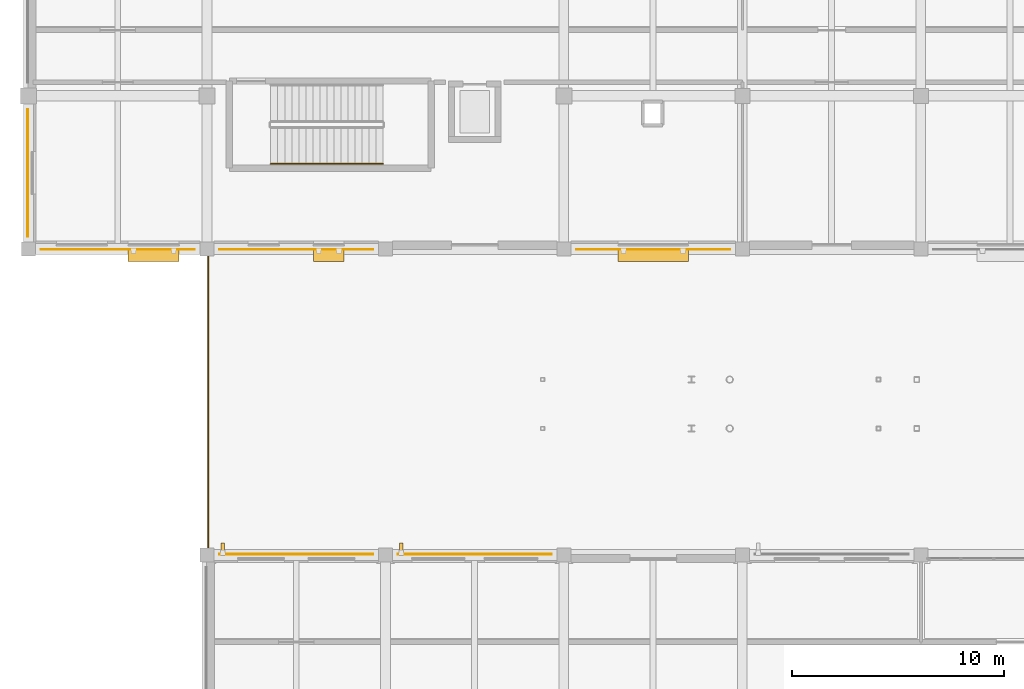
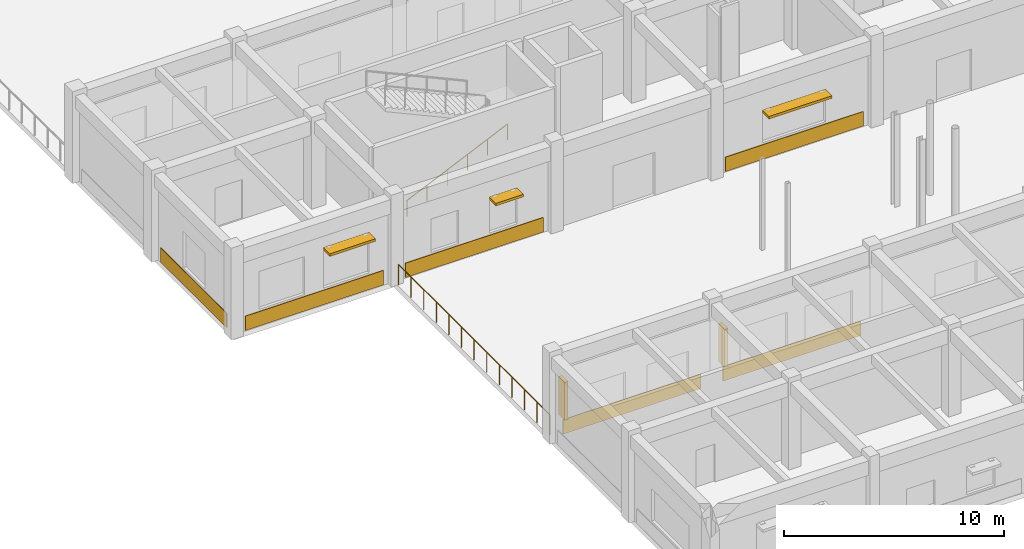
# One storey, part 108 of 121: 6 coverings, 5 shading devices, 2 railings.
"""IFC4 building model written with IfcOpenShell, lengths in metres."""

from ifc_helpers import new_model, si_unit, direction, frame, origin, origin_2d, place, context, subcontext, project, spatial, polyline, rectangle, circle, outline, extrude, material, layer, layer_set, type_object, element, save


model = new_model("IFC4")

# Units and contexts
model_context = context("Model", 3, precision=1e-05, world=origin(), true_north=direction((0.0, 1.0)))
body_context = subcontext(model_context, "Body", "Model", "MODEL_VIEW")
ifc_project = project(units=[si_unit("LENGTHUNIT", "METRE"), si_unit("AREAUNIT", "SQUARE_METRE"), si_unit("VOLUMEUNIT", "CUBIC_METRE"), si_unit("PLANEANGLEUNIT", "RADIAN"), si_unit("MASSUNIT", "GRAM", prefix="KILO")], contexts=[model_context])

# Site, building, storey
site_placement = place(None, origin())
site = spatial("IfcSite", under=ifc_project, at=site_placement, CompositionType="ELEMENT")
building_placement = place(site_placement, origin())
building = spatial("IfcBuilding", under=site, at=building_placement, Name="Malvenik Polytechnic", CompositionType="ELEMENT")
storey_placement = place(building_placement, origin())
storey = spatial("IfcBuildingStorey", under=building, at=storey_placement, Name="L00", CompositionType="ELEMENT", Elevation=0.0)

# Coverings
ifc_material_1 = material(Name="Glazed ochre architectural terracotta rainscreen tile 35mm", Category="masonry")
ifc_layer_1 = layer(ifc_material_1, 0.034912109375)
ifc_layer_set_1 = layer_set([ifc_layer_1], Name="Glazed ochre architectural terracotta rainscreen tile 35mm")
covering_type = type_object("IfcCoveringType", Name="ARC-COV-CLAD-TERR", PredefinedType="CLADDING", material=ifc_layer_set_1)
covering_1_placement = place(storey_placement, frame((0.0, 0.0, 0.050048828125)))
element("IfcCovering", 1, at=covering_1_placement, inside=storey, type_object=covering_type, Name="Stone Rainscreen Band CL-02 L00 #22", PredefinedType="CLADDING", context=body_context, shape_type="SweptSolid", body=[
    extrude(outline(polyline([(8.972900390625, 64.81591796875), (16.22705078125, 64.81591796875), (16.22705078125, 64.85107421875), (8.972900390625, 64.85107421875), (8.972900390625, 64.81591796875)])), origin(), (0.0, 0.0, 1.0), 0.800048828125),
])
covering_2_placement = place(storey_placement, frame((0.0, 0.0, 0.050048828125)))
element("IfcCovering", 2, at=covering_2_placement, inside=storey, type_object=covering_type, Name="Stone Rainscreen Band CL-02 L00 #23", PredefinedType="CLADDING", context=body_context, shape_type="SweptSolid", body=[
    extrude(outline(polyline([(17.373046875, 64.81591796875), (24.626953125, 64.81591796875), (24.626953125, 64.85107421875), (17.373046875, 64.85107421875), (17.373046875, 64.81591796875)])), origin(), (0.0, 0.0, 1.0), 0.800048828125),
])
covering_3_placement = place(storey_placement, frame((0.0, 0.0, 0.050048828125)))
element("IfcCovering", 3, at=covering_3_placement, inside=storey, type_object=covering_type, Name="Stone Rainscreen Band CL-02 L00 #29", PredefinedType="CLADDING", context=body_context, shape_type="SweptSolid", body=[
    extrude(outline(polyline([(33.027099609375, 79.18408203125), (25.77294921875, 79.18408203125), (25.77294921875, 79.14892578125), (33.027099609375, 79.14892578125), (33.027099609375, 79.18408203125)])), origin(), (0.0, 0.0, 1.0), 0.800048828125),
])
covering_4_placement = place(storey_placement, frame((0.0, 0.0, 0.050048828125)))
element("IfcCovering", 4, at=covering_4_placement, inside=storey, type_object=covering_type, Name="Stone Rainscreen Band CL-02 L00 #30", PredefinedType="CLADDING", context=body_context, shape_type="SweptSolid", body=[
    extrude(outline(polyline([(16.22705078125, 79.18408203125), (8.972900390625, 79.18408203125), (8.972900390625, 79.14892578125), (16.22705078125, 79.14892578125), (16.22705078125, 79.18408203125)])), origin(), (0.0, 0.0, 1.0), 0.800048828125),
])
covering_5_placement = place(storey_placement, frame((0.0, 0.0, 0.050048828125)))
element("IfcCovering", 5, at=covering_5_placement, inside=storey, type_object=covering_type, Name="Stone Rainscreen Band CL-02 L00 #31", PredefinedType="CLADDING", context=body_context, shape_type="SweptSolid", body=[
    extrude(outline(polyline([(7.826904296875, 79.18408203125), (0.572998046875, 79.18408203125), (0.572998046875, 79.14892578125), (7.826904296875, 79.14892578125), (7.826904296875, 79.18408203125)])), origin(), (0.0, 0.0, 1.0), 0.800048828125),
])
covering_6_placement = place(storey_placement, frame((0.0, 0.0, 0.050048828125)))
element("IfcCovering", 6, at=covering_6_placement, inside=storey, type_object=covering_type, Name="Stone Rainscreen Band CL-02 L00 #32", PredefinedType="CLADDING", context=body_context, shape_type="SweptSolid", body=[
    extrude(outline(polyline([(-0.01611328125, 79.77294921875), (-0.01611328125, 85.777099609375), (-0.051025390625, 85.777099609375), (-0.051025390625, 79.77294921875), (-0.01611328125, 79.77294921875)])), origin(), (0.0, 0.0, 1.0), 0.800048828125),
])

# Railings
ifc_material_2 = material(Name="Galvanised powder-coated steel and laminated glass guard 1150mm", Category="steel")
ifc_layer_2 = layer(ifc_material_2, 0.070068359375)
ifc_layer_set_2 = layer_set([ifc_layer_2], Name="Galvanised powder-coated steel and laminated glass guard 1150mm")
railing_type_1 = type_object("IfcRailingType", Name="ARC-RL-BAL-1150", PredefinedType="BALUSTRADE", material=ifc_layer_set_2)
railing_1_placement = place(storey_placement, frame((8.4599609375, 65.1201171875, 0.0)))
element("IfcRailing", 7, at=railing_1_placement, inside=storey, type_object=railing_type_1, Name="Terrace Perimeter Balustrade L00 #6", PredefinedType="BALUSTRADE", context=body_context, shape_type="SweptSolid", body=[
    extrude(circle(Radius=0.02392578125, at=origin_2d()), frame((0.0, 0.0, 1.1259765625), z_axis=(0.0, 1.0, 0.0), x_axis=(-1.0, 0.0, 0.0)), (0.0, 0.0, 1.0), 13.759765625),
    extrude(circle(Radius=0.02099609375, at=origin_2d()), origin(), (0.0, 0.0, 1.0), 1.101806640625),
    extrude(circle(Radius=0.02099609375, at=origin_2d()), frame((0.0, 1.146728515625, 0.0)), (0.0, 0.0, 1.0), 1.101806640625),
    extrude(circle(Radius=0.02099609375, at=origin_2d()), frame((0.0, 2.293212890625, 0.0)), (0.0, 0.0, 1.0), 1.101806640625),
    extrude(circle(Radius=0.02099609375, at=origin_2d()), frame((0.0, 3.43994140625, 0.0)), (0.0, 0.0, 1.0), 1.101806640625),
    extrude(circle(Radius=0.02099609375, at=origin_2d()), frame((0.0, 4.586669921875, 0.0)), (0.0, 0.0, 1.0), 1.101806640625),
    extrude(circle(Radius=0.02099609375, at=origin_2d()), frame((0.0, 5.733154296875, 0.0)), (0.0, 0.0, 1.0), 1.101806640625),
    extrude(circle(Radius=0.02099609375, at=origin_2d()), frame((0.0, 6.8798828125, 0.0)), (0.0, 0.0, 1.0), 1.101806640625),
    extrude(circle(Radius=0.02099609375, at=origin_2d()), frame((0.0, 8.026611328125, 0.0)), (0.0, 0.0, 1.0), 1.101806640625),
    extrude(circle(Radius=0.02099609375, at=origin_2d()), frame((0.0, 9.173095703125, 0.0)), (0.0, 0.0, 1.0), 1.101806640625),
    extrude(circle(Radius=0.02099609375, at=origin_2d()), frame((0.0, 10.31982421875, 0.0)), (0.0, 0.0, 1.0), 1.101806640625),
    extrude(circle(Radius=0.02099609375, at=origin_2d()), frame((0.0, 11.466552734375, 0.0)), (0.0, 0.0, 1.0), 1.101806640625),
    extrude(circle(Radius=0.02099609375, at=origin_2d()), frame((0.0, 12.613037109375, 0.0)), (0.0, 0.0, 1.0), 1.101806640625),
    extrude(circle(Radius=0.02099609375, at=origin_2d()), frame((0.0, 13.759765625, 0.0)), (0.0, 0.0, 1.0), 1.101806640625),
])
ifc_material_3 = material(Name="Brushed stainless steel 1.4301 stair wall handrail", Category="steel")
ifc_layer_3 = layer(ifc_material_3, 0.044921875)
ifc_layer_set_3 = layer_set([ifc_layer_3], Name="Brushed stainless steel 1.4301 stair wall handrail")
railing_type_2 = type_object("IfcRailingType", Name="ARC-RL-STHR", PredefinedType="HANDRAIL", material=ifc_layer_set_3)
railing_2_placement = place(storey_placement, frame((11.39990234375, 83.199951171875, 0.14990234375)))
element("IfcRailing", 8, at=railing_2_placement, inside=storey, type_object=railing_type_2, Name="L00 ST-04 stair handrail 1", PredefinedType="HANDRAIL", context=body_context, shape_type="SweptSolid", body=[
    extrude(circle(Radius=0.02392578125, at=origin_2d()), frame((0.0, 0.0, 0.8759765625), z_axis=(0.910357827898, 0.0, 0.413821972815), x_axis=(0.0, 1.0, 0.0)), (0.0, 0.0, 1.0), 5.800048828125),
    extrude(circle(Radius=0.02099609375, at=origin_2d()), origin(), (0.0, 0.0, 1.0), 0.851806640625),
    extrude(circle(Radius=0.02099609375, at=origin_2d()), frame((1.055908203125, 0.0, 0.47998046875)), (0.0, 0.0, 1.0), 0.851806640625),
    extrude(circle(Radius=0.02099609375, at=origin_2d()), frame((2.112060546875, 0.0, 0.9599609375)), (0.0, 0.0, 1.0), 0.851806640625),
    extrude(circle(Radius=0.02099609375, at=origin_2d()), frame((3.16796875, 0.0, 1.440185546875)), (0.0, 0.0, 1.0), 0.851806640625),
    extrude(circle(Radius=0.02099609375, at=origin_2d()), frame((4.22412109375, 0.0, 1.920166015625)), (0.0, 0.0, 1.0), 0.851806640625),
    extrude(circle(Radius=0.02099609375, at=origin_2d()), frame((5.280029296875, 0.0, 2.400146484375)), (0.0, 0.0, 1.0), 0.851806640625),
])

# Shading devices
ifc_material_4 = material(Name="Precast ultra-high-performance fibre concrete sunshade fin", Category="concrete")
shading_device_type_1 = type_object("IfcShadingDeviceType", Name="ARC-SHD-FIN", PredefinedType="USERDEFINED", material=ifc_material_4)
for number, where, z_axis, x_axis, name in (
    (9, (9.14306640625, 65.080078125, 0.800048828125), (0.0, 0.0, 1.0), (1.0, 0.0, 0.0), "Vertical UHPC Sunshade Fin SH-02 #4"),
    (10, (17.54296875, 65.080078125, 0.800048828125), (0.0, 0.0, 1.0), (1.0, 0.0, 0.0), "Vertical UHPC Sunshade Fin SH-02 #5"),
):
    element("IfcShadingDevice", number, at=place(storey_placement, frame(where, z_axis=z_axis, x_axis=x_axis)), inside=storey, type_object=shading_device_type_1, Name=name, ObjectType="SUNSHADE FIN", PredefinedType="USERDEFINED", context=body_context, shape_type="SweptSolid", body=[
        extrude(rectangle(XDim=0.179931640625, YDim=0.56005859375, at=origin_2d()), origin(), (0.0, 0.0, 1.0), 2.10009765625),
    ])
ifc_material_5 = material(Name="Extruded anodised aluminium solar brise-soleil louvre", Category="aluminium")
shading_device_type_2 = type_object("IfcShadingDeviceType", Name="ARC-SHD-LOUVRE", PredefinedType="JALOUSIE", material=ifc_material_5)
shading_device_1_placement = place(storey_placement, frame((29.39990234375, 78.89990234375, 2.60986328125), z_axis=(0.0, 0.0, 1.0), x_axis=(1.0, 0.0, 0.0)))
element("IfcShadingDevice", 11, at=shading_device_1_placement, inside=storey, type_object=shading_device_type_2, Name="Solar Brise-Soleil Louvre SH-01 #8", PredefinedType="JALOUSIE", context=body_context, shape_type="SweptSolid", body=[
    extrude(rectangle(XDim=3.300048828125, YDim=0.60009765625, at=origin_2d()), origin(), (0.0, 0.0, 1.0), 0.139892578125),
])
shading_device_2_placement = place(storey_placement, frame((14.134033203125, 78.89990234375, 2.81005859375), z_axis=(0.0, 0.0, 1.0), x_axis=(1.0, 0.0, 0.0)))
element("IfcShadingDevice", 12, at=shading_device_2_placement, inside=storey, type_object=shading_device_type_2, Name="Solar Brise-Soleil Louvre SH-01 #9", PredefinedType="JALOUSIE", context=body_context, shape_type="SweptSolid", body=[
    extrude(rectangle(XDim=1.449951171875, YDim=0.60009765625, at=origin_2d()), origin(), (0.0, 0.0, 1.0), 0.139892578125),
])
shading_device_3_placement = place(storey_placement, frame((5.892333984375, 78.89990234375, 3.06005859375), z_axis=(0.0, 0.0, 1.0), x_axis=(1.0, 0.0, 0.0)))
element("IfcShadingDevice", 13, at=shading_device_3_placement, inside=storey, type_object=shading_device_type_2, Name="Solar Brise-Soleil Louvre SH-01 #10", PredefinedType="JALOUSIE", context=body_context, shape_type="SweptSolid", body=[
    extrude(rectangle(XDim=2.39990234375, YDim=0.60009765625, at=origin_2d()), origin(), (0.0, 0.0, 1.0), 0.139892578125),
])

save(model, "model.ifc")
